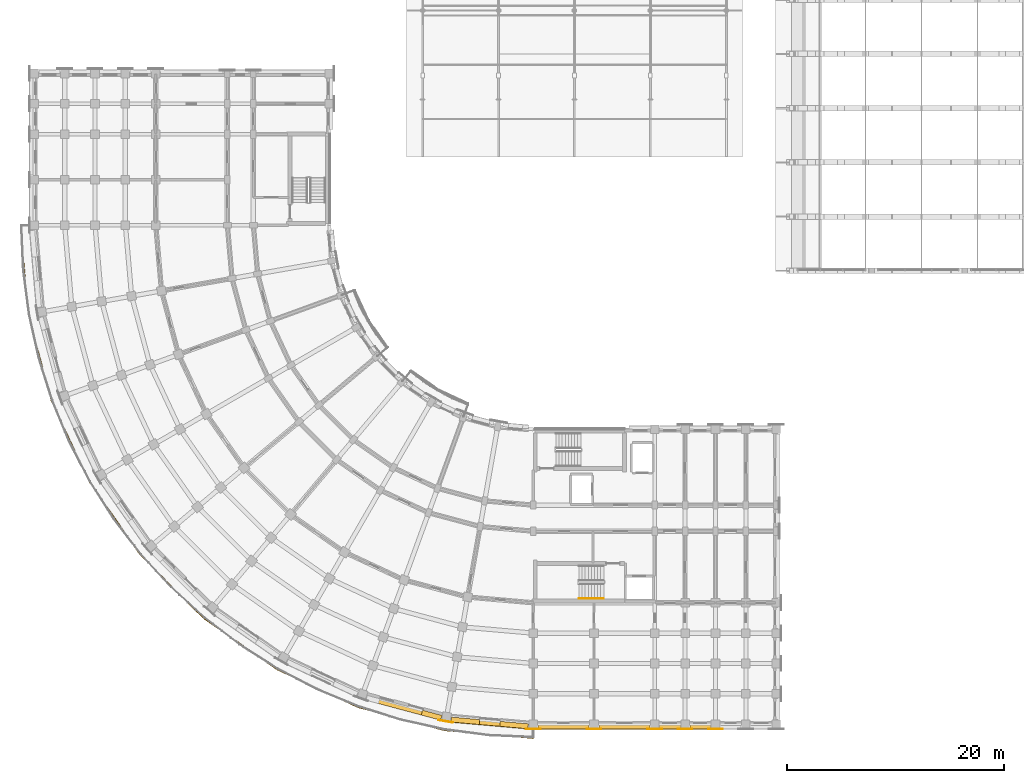
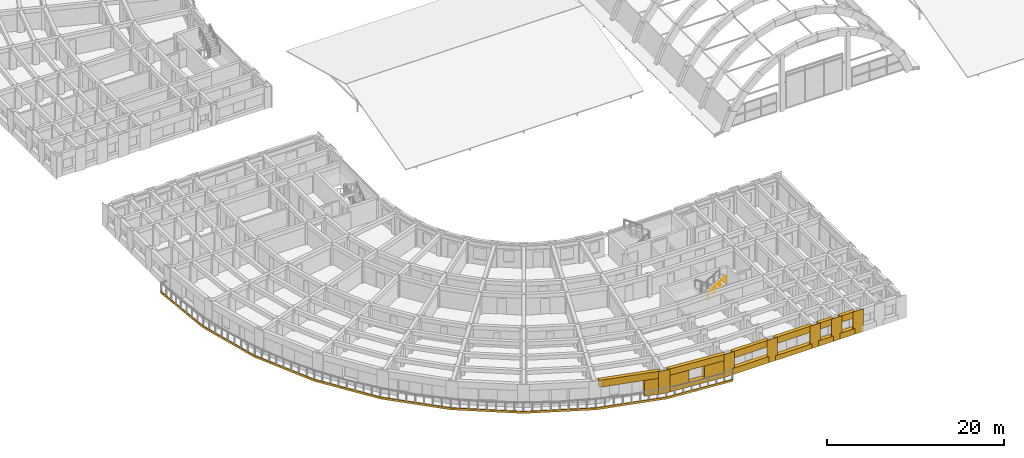
# One storey, part 60 of 76: 21 coverings, 1 railing.
"""IFC4 building model written with IfcOpenShell, lengths in metres."""

import ifcopenshell
import ifcopenshell.guid

model = None  # the IFC model being written
_history = None  # IfcOwnerHistory: only IFC2X3 demands one
_inside = {}  # id of a spatial element -> (the spatial element, [elements in it])
_under = {}  # id of a project, library or spatial element -> (it, [spatial elements below it])
_declared = {}  # id of a project -> (the project, [libraries it declares])
_typed = {}  # id of a type object -> (the type object, [elements of that type])
_made_of = {}  # id of a material, layer set ... -> (it, [elements and type objects made of it])


def new_model(schema):
    """Start an empty IFC model of exactly this schema.

    Asked for "IFC4X3", IfcOpenShell would pick the latest addendum, in which some entities
    have other attributes; the version numbers below select the first issue.
    IFC2X3 requires an IfcOwnerHistory on every rooted entity: one is made here for all.
    """
    global model, _history
    if schema == "IFC4X3":
        model = ifcopenshell.file(schema_version=(4, 3, 0, 0))
    else:
        model = ifcopenshell.file(schema=schema)
    _inside.clear()
    _under.clear()
    _declared.clear()
    _typed.clear()
    _made_of.clear()
    _history = None
    if model.schema == "IFC2X3":
        org = make("IfcOrganization", Name="unknown")
        user = make(
            "IfcPersonAndOrganization",
            ThePerson=make("IfcPerson", FamilyName="unknown"),
            TheOrganization=org,
        )
        app = make(
            "IfcApplication",
            ApplicationDeveloper=org,
            Version="unknown",
            ApplicationFullName="unknown",
            ApplicationIdentifier="unknown",
        )
        _history = make(
            "IfcOwnerHistory",
            OwningUser=user,
            OwningApplication=app,
            ChangeAction="ADDED",
            CreationDate=0,
        )
    return model


def make(cls, **values):
    """One entity of the class cls with the attributes given. An attribute that is None is left unset."""
    return model.create_entity(
        cls, **{name: value for name, value in values.items() if value is not None}
    )


def rooted(cls, **values):
    """An entity with a GlobalId (a new one), such as an element, a storey or a relation."""
    return make(cls, GlobalId=ifcopenshell.guid.new(), OwnerHistory=_history, **values)


def si_unit(unit_type, name, prefix=None):
    """IfcSIUnit, for example si_unit("LENGTHUNIT", "METRE", prefix="MILLI")."""
    return make("IfcSIUnit", UnitType=unit_type, Prefix=prefix, Name=name)


def assignment(units):
    """IfcUnitAssignment: the units of a project."""
    return None if units is None else make("IfcUnitAssignment", Units=units)


def point(xyz):
    """IfcCartesianPoint."""
    return None if xyz is None else make("IfcCartesianPoint", Coordinates=xyz)


def direction(xyz):
    """IfcDirection."""
    return None if xyz is None else make("IfcDirection", DirectionRatios=xyz)


def frame(location, z_axis=None, x_axis=None):
    """IfcAxis2Placement3D, a coordinate frame: its origin and axes. An axis left out is left unset."""
    return make(
        "IfcAxis2Placement3D",
        Location=point(location),
        Axis=direction(z_axis),
        RefDirection=direction(x_axis),
    )


def frame_2d(location, x_axis=None):
    """IfcAxis2Placement2D, a coordinate frame in the plane: its origin and x axis."""
    return make(
        "IfcAxis2Placement2D", Location=point(location), RefDirection=direction(x_axis)
    )


def origin():
    """The frame at (0, 0, 0) with its axes left unset."""
    return frame((0.0, 0.0, 0.0))


def origin_2d():
    """The frame at (0, 0) in the plane with its x axis left unset."""
    return frame_2d((0.0, 0.0))


def place(relative_to, where):
    """IfcLocalPlacement: puts the frame where relative to a parent placement (None: the world)."""
    return make(
        "IfcLocalPlacement", PlacementRelTo=relative_to, RelativePlacement=where
    )


def context(
    kind, dimensions, precision=None, world=None, true_north=None, identifier=None
):
    """IfcGeometricRepresentationContext, for example the 3D "Model" context."""
    return make(
        "IfcGeometricRepresentationContext",
        ContextIdentifier=identifier,
        ContextType=kind,
        CoordinateSpaceDimension=dimensions,
        Precision=precision,
        WorldCoordinateSystem=world,
        TrueNorth=true_north,
    )


def subcontext(parent, identifier, kind, view, scale=None):
    """IfcGeometricRepresentationSubContext, for example "Body" below "Model"."""
    return make(
        "IfcGeometricRepresentationSubContext",
        ContextIdentifier=identifier,
        ContextType=kind,
        ParentContext=parent,
        TargetScale=scale,
        TargetView=view,
    )


def project(units=None, contexts=None):
    """IfcProject with its units and contexts."""
    return rooted(
        "IfcProject",
        Name="project",
        RepresentationContexts=contexts,
        UnitsInContext=assignment(units),
    )


def spatial(cls, under=None, at=None, **own):
    """A site, building, storey or space (cls), placed at a placement, below another one or the project."""
    s = rooted(cls, ObjectPlacement=at, **own)
    if under is not None:
        _under.setdefault(under.id(), (under, []))[1].append(s)
    return s


def polyline(points):
    """IfcPolyline through the points."""
    return make("IfcPolyline", Points=[point(p) for p in points])


def profile(cls, at=None, kind="AREA", **sizes):
    """A parametric profile (cls). Its sizes go by their IFC names, for example OverallWidth=200.0."""
    return make(cls, ProfileType=kind, Position=at, **sizes)


def circle(**sizes):
    """IfcCircleProfileDef."""
    return profile("IfcCircleProfileDef", **sizes)


def outline(outer, holes=None, kind="AREA"):
    """IfcArbitraryClosedProfileDef: a profile drawn as a closed curve; with holes, ...WithVoids."""
    if holes is None:
        return make("IfcArbitraryClosedProfileDef", ProfileType=kind, OuterCurve=outer)
    return make(
        "IfcArbitraryProfileDefWithVoids",
        ProfileType=kind,
        OuterCurve=outer,
        InnerCurves=holes,
    )


def extrude(swept, where, along, depth):
    """IfcExtrudedAreaSolid: the profile swept, set in the frame where, extruded along a direction by depth."""
    return make(
        "IfcExtrudedAreaSolid",
        SweptArea=swept,
        Position=where,
        ExtrudedDirection=direction(along),
        Depth=depth,
    )


def shape(context_of_items, identifier, shape_type, items):
    """IfcShapeRepresentation: the items that make up one representation, for example the "Body"."""
    return make(
        "IfcShapeRepresentation",
        ContextOfItems=context_of_items,
        RepresentationIdentifier=identifier,
        RepresentationType=shape_type,
        Items=items,
    )


def material(Name=None, Category=None):
    """IfcMaterial."""
    return make("IfcMaterial", Name=Name, Category=Category)


def layer(
    of_material, thickness, ventilated=None, Name=None, Category=None, Priority=None
):
    """IfcMaterialLayer: one layer of a wall or slab, of a material (None: an air gap)."""
    return make(
        "IfcMaterialLayer",
        Material=of_material,
        LayerThickness=thickness,
        IsVentilated=ventilated,
        Name=Name,
        Category=Category,
        Priority=Priority,
    )


def layer_set(layers, Name=None):
    """IfcMaterialLayerSet."""
    return make("IfcMaterialLayerSet", MaterialLayers=layers, LayerSetName=Name)


def made_of(thing, what):
    """Note that an element or type object is made of a material, layer set ...; save() writes the relation."""
    if what is not None:
        _made_of.setdefault(what.id(), (what, []))[1].append(thing)
    return thing


def type_object(cls, material=None, **own):
    """A type object (cls), such as IfcWallType, which elements share."""
    return made_of(rooted(cls, **own), material)


def element(
    cls,
    number,
    at=None,
    inside=None,
    cuts=None,
    type_object=None,
    material=None,
    context=None,
    identifier="Body",
    shape_type=None,
    held_by="IfcProductDefinitionShape",
    body=None,
    shapes=None,
    **own,
):
    """One element of the class cls, such as IfcWall. Its Tag is "e" and its number.

    at: its placement. inside: the storey or other place that contains it. cuts: it is an
    opening in that element (IfcRelVoidsElement). A single representation is given by context,
    identifier, shape_type and body (its items); several are given by shapes. held_by: the class
    of the entity that holds the representations. save() writes the other relations.
    """
    e = rooted(cls, Tag="e%d" % number, ObjectPlacement=at, **own)
    if body is not None:
        shapes = [shape(context, identifier, shape_type, body)]
    if shapes is not None:
        e.Representation = make(held_by, Representations=shapes)
    if inside is not None:
        _inside.setdefault(inside.id(), (inside, []))[1].append(e)
    if cuts is not None:
        rooted(
            "IfcRelVoidsElement", RelatingBuildingElement=cuts, RelatedOpeningElement=e
        )
    if type_object is not None:
        _typed.setdefault(type_object.id(), (type_object, []))[1].append(e)
    return made_of(e, material)


def aggregate(whole, parts):
    """IfcRelAggregates: a whole, such as a stair, and the parts it consists of."""
    return rooted("IfcRelAggregates", RelatingObject=whole, RelatedObjects=parts)


def save(model, path):
    """Write the relations noted so far, then the file.

    IfcRelAggregates (storeys below a building ...), IfcRelContainedInSpatialStructure (elements
    in a storey), IfcRelDefinesByType, IfcRelAssociatesMaterial and IfcRelDeclares: one each for
    every whole, place, type object, material and project.
    """
    for whole, parts in _under.values():
        aggregate(whole, parts)
    for where, things in _inside.values():
        rooted(
            "IfcRelContainedInSpatialStructure",
            RelatedElements=things,
            RelatingStructure=where,
        )
    for kind, things in _typed.values():
        rooted("IfcRelDefinesByType", RelatedObjects=things, RelatingType=kind)
    for what, things in _made_of.values():
        rooted("IfcRelAssociatesMaterial", RelatedObjects=things, RelatingMaterial=what)
    for by, libraries in _declared.values():
        rooted("IfcRelDeclares", RelatingContext=by, RelatedDefinitions=libraries)
    model.write(path)


model = new_model("IFC4")

# Units and contexts
model_context = context("Model", 3, precision=1e-05, world=origin(), true_north=direction((0.0, 1.0)))
body_context = subcontext(model_context, "Body", "Model", "MODEL_VIEW")
ifc_project = project(units=[si_unit("LENGTHUNIT", "METRE"), si_unit("AREAUNIT", "SQUARE_METRE"), si_unit("VOLUMEUNIT", "CUBIC_METRE"), si_unit("PLANEANGLEUNIT", "RADIAN"), si_unit("MASSUNIT", "GRAM", prefix="KILO")], contexts=[model_context])

# Site, building, storey
site_placement = place(None, origin())
site = spatial("IfcSite", under=ifc_project, at=site_placement, CompositionType="ELEMENT")
building_placement = place(site_placement, origin())
building = spatial("IfcBuilding", under=site, at=building_placement, Name="Kiranvali Square Residences", CompositionType="ELEMENT")
storey_placement = place(building_placement, frame((0.0, 0.0, 8.699951171875)))
storey = spatial("IfcBuildingStorey", under=building, at=storey_placement, Name="L02", CompositionType="ELEMENT", Elevation=8.699951171875)

# Coverings
ifc_material_1 = material(Name="Carved Porbandar limestone classical entablature and cornice", Category="masonry")
ifc_layer_1 = layer(ifc_material_1, 0.072021484375)
ifc_layer_set_1 = layer_set([ifc_layer_1], Name="Carved Porbandar limestone classical entablature and cornice")
covering_type_1 = type_object("IfcCoveringType", Name="COV-CLAD-BAL", PredefinedType="CLADDING", material=ifc_layer_set_1)
covering_1_placement = place(storey_placement, frame((0.0, 0.0, -0.239990234375)))
element("IfcCovering", 1, at=covering_1_placement, inside=storey, type_object=covering_type_1, Name="Block C L02 continuous curved limestone balcony fascia", PredefinedType="CLADDING", context=body_context, shape_type="SweptSolid", body=[
    extrude(outline(polyline([(48.199951171875, 0.947998046875), (39.994873046875, 1.665771484375), (32.038818359375, 3.797607421875), (24.573974609375, 7.278564453125), (17.826904296875, 12.0029296875), (12.0029296875, 17.826904296875), (7.278564453125, 24.573974609375), (3.797607421875, 32.038818359375), (1.665771484375, 39.994873046875), (0.947998046875, 48.199951171875), (0.882080078125, 48.199951171875), (1.600830078125, 39.9833984375), (3.735595703125, 32.016357421875), (7.221435546875, 24.541015625), (11.952392578125, 17.78466796875), (17.78466796875, 11.952392578125), (24.541015625, 7.221435546875), (32.016357421875, 3.735595703125), (39.9833984375, 1.600830078125), (48.199951171875, 0.882080078125), (48.199951171875, 0.947998046875)])), origin(), (0.0, 0.0, 1.0), 0.300048828125),
])
ifc_material_2 = material(Name="Honed Porbandar limestone ashlar facade cladding", Category="masonry")
ifc_layer_2 = layer(ifc_material_2, 0.3798828125)
ifc_layer_set_2 = layer_set([ifc_layer_2], Name="Honed Porbandar limestone ashlar facade cladding")
covering_type_2 = type_object("IfcCoveringType", Name="COV-CLAD-JAMB", PredefinedType="CLADDING", material=ifc_layer_set_2)
covering_2_placement = place(storey_placement, frame((0.0, 0.0, 0.6220703125)))
element("IfcCovering", 2, at=covering_2_placement, inside=storey, type_object=covering_type_2, Name="L02 deep limestone window jamb reveal C-L02-CRV-00.L", PredefinedType="CLADDING", context=body_context, shape_type="SweptSolid", body=[
    extrude(outline(polyline([(47.751708984375, 2.23876953125), (45.15234375, 2.466064453125), (45.1123046875, 2.00830078125), (47.711669921875, 1.781005859375), (47.751708984375, 2.23876953125)])), origin(), (0.0, 0.0, 1.0), 1.64990234375),
])
covering_3_placement = place(storey_placement, frame((0.0, 0.0, 0.6220703125)))
element("IfcCovering", 3, at=covering_3_placement, inside=storey, type_object=covering_type_2, Name="L02 deep limestone window jamb reveal C-L02-CRV-00.R", PredefinedType="CLADDING", context=body_context, shape_type="SweptSolid", body=[
    extrude(outline(polyline([(43.259765625, 2.6318359375), (40.660400390625, 2.859130859375), (40.620361328125, 2.4013671875), (43.2197265625, 2.174072265625), (43.259765625, 2.6318359375)])), origin(), (0.0, 0.0, 1.0), 1.64990234375),
])
covering_4_placement = place(storey_placement, origin())
element("IfcCovering", 4, at=covering_4_placement, inside=storey, type_object=covering_type_2, Name="L02 deep limestone window jamb reveal C-L02-CRV-01.L", PredefinedType="CLADDING", context=body_context, shape_type="SweptSolid", body=[
    extrude(outline(polyline([(39.77734375, 3.014892578125), (37.998779296875, 3.491455078125), (37.8798828125, 3.047607421875), (39.658447265625, 2.571044921875), (39.77734375, 3.014892578125)])), origin(), (0.0, 0.0, 1.0), 2.179931640625),
])
ifc_layer_3 = layer(ifc_material_2, 0.06494140625)
ifc_layer_set_3 = layer_set([ifc_layer_3], Name="Honed Porbandar limestone ashlar facade cladding")
covering_type_3 = type_object("IfcCoveringType", Name="COV-CLAD-PIER", PredefinedType="CLADDING", material=ifc_layer_set_3)
covering_5_placement = place(storey_placement, frame((0.0, 0.0, 0.005126953125)))
element("IfcCovering", 5, at=covering_5_placement, inside=storey, type_object=covering_type_3, Name="L02 Classical limestone corner pilaster CLAD-PR-C-L02-A00", PredefinedType="CLADDING", context=body_context, shape_type="SweptSolid", body=[
    extrude(outline(polyline([(47.52001953125, 1.73193359375), (48.8798828125, 1.73193359375), (48.8798828125, 1.799560546875), (47.52001953125, 1.799560546875), (47.52001953125, 1.73193359375)])), origin(), (0.0, 0.0, 1.0), 3.139892578125),
])
covering_6_placement = place(storey_placement, frame((0.0, 0.0, 0.005126953125)))
element("IfcCovering", 6, at=covering_6_placement, inside=storey, type_object=covering_type_3, Name="L02 Classical limestone corner pilaster CLAD-PR-C-L02-A01", PredefinedType="CLADDING", context=body_context, shape_type="SweptSolid", body=[
    extrude(outline(polyline([(39.461181640625, 2.555908203125), (40.800537109375, 2.31982421875), (40.812255859375, 2.38623046875), (39.472900390625, 2.62255859375), (39.461181640625, 2.555908203125)])), origin(), (0.0, 0.0, 1.0), 3.139892578125),
])
covering_7_placement = place(storey_placement, frame((0.0, 0.0, 0.005126953125)))
element("IfcCovering", 7, at=covering_7_placement, inside=storey, type_object=covering_type_3, Name="L02 Classical limestone pilaster casing CLAD-PR-C-L02-U56", PredefinedType="CLADDING", context=body_context, shape_type="SweptSolid", body=[
    extrude(outline(polyline([(53.1201171875, 1.73193359375), (54.47998046875, 1.73193359375), (54.47998046875, 1.799560546875), (53.1201171875, 1.799560546875), (53.1201171875, 1.73193359375)])), origin(), (0.0, 0.0, 1.0), 3.139892578125),
])
covering_8_placement = place(storey_placement, frame((0.0, 0.0, 0.005126953125)))
element("IfcCovering", 8, at=covering_8_placement, inside=storey, type_object=covering_type_3, Name="L02 Classical limestone pilaster casing CLAD-PR-C-L02-U112", PredefinedType="CLADDING", context=body_context, shape_type="SweptSolid", body=[
    extrude(outline(polyline([(58.719970703125, 1.73193359375), (60.080078125, 1.73193359375), (60.080078125, 1.799560546875), (58.719970703125, 1.799560546875), (58.719970703125, 1.73193359375)])), origin(), (0.0, 0.0, 1.0), 3.139892578125),
])
covering_9_placement = place(storey_placement, frame((0.0, 0.0, 0.005126953125)))
element("IfcCovering", 9, at=covering_9_placement, inside=storey, type_object=covering_type_3, Name="L02 Classical limestone pilaster casing CLAD-PR-C-L02-U140", PredefinedType="CLADDING", context=body_context, shape_type="SweptSolid", body=[
    extrude(outline(polyline([(61.52001953125, 1.73193359375), (62.8798828125, 1.73193359375), (62.8798828125, 1.799560546875), (61.52001953125, 1.799560546875), (61.52001953125, 1.73193359375)])), origin(), (0.0, 0.0, 1.0), 3.139892578125),
])
covering_10_placement = place(storey_placement, frame((0.0, 0.0, 0.005126953125)))
element("IfcCovering", 10, at=covering_10_placement, inside=storey, type_object=covering_type_3, Name="L02 Classical limestone pilaster casing CLAD-PR-C-L02-U167", PredefinedType="CLADDING", context=body_context, shape_type="SweptSolid", body=[
    extrude(outline(polyline([(64.320068359375, 1.73193359375), (65.679931640625, 1.73193359375), (65.679931640625, 1.799560546875), (64.320068359375, 1.799560546875), (64.320068359375, 1.73193359375)])), origin(), (0.0, 0.0, 1.0), 3.139892578125),
])
ifc_layer_4 = layer(ifc_material_2, 0.360107421875)
ifc_layer_set_4 = layer_set([ifc_layer_4], Name="Honed Porbandar limestone ashlar facade cladding")
covering_type_4 = type_object("IfcCoveringType", Name="COV-CLAD-WALL", PredefinedType="CLADDING", material=ifc_layer_set_4)
covering_11_placement = place(storey_placement, frame((0.0, 0.0, 2.27197265625)))
element("IfcCovering", 11, at=covering_11_placement, inside=storey, type_object=covering_type_4, Name="L02 light limestone spandrel lintel C-L02-CRV-00", PredefinedType="CLADDING", context=body_context, shape_type="SweptSolid", body=[
    extrude(outline(polyline([(47.751708984375, 2.23876953125), (40.660400390625, 2.859130859375), (40.620361328125, 2.4013671875), (47.711669921875, 1.781005859375), (47.751708984375, 2.23876953125)])), origin(), (0.0, 0.0, 1.0), 0.873046875),
])
covering_12_placement = place(storey_placement, frame((0.0, 0.0, 0.005126953125)))
element("IfcCovering", 12, at=covering_12_placement, inside=storey, type_object=covering_type_4, Name="L02 limestone window sill apron C-L02-CRV-00", PredefinedType="CLADDING", context=body_context, shape_type="SweptSolid", body=[
    extrude(outline(polyline([(47.751708984375, 2.23876953125), (40.660400390625, 2.859130859375), (40.61767578125, 2.37158203125), (47.708984375, 1.7509765625), (47.751708984375, 2.23876953125)])), origin(), (0.0, 0.0, 1.0), 0.616943359375),
])
covering_13_placement = place(storey_placement, frame((0.0, 0.0, 2.179931640625)))
element("IfcCovering", 13, at=covering_13_placement, inside=storey, type_object=covering_type_4, Name="L02 light limestone spandrel lintel C-L02-CRV-01", PredefinedType="CLADDING", context=body_context, shape_type="SweptSolid", body=[
    extrude(outline(polyline([(39.77734375, 3.014892578125), (32.901611328125, 4.857177734375), (32.78271484375, 4.413330078125), (39.658447265625, 2.571044921875), (39.77734375, 3.014892578125)])), origin(), (0.0, 0.0, 1.0), 0.965087890625),
])
covering_14_placement = place(storey_placement, frame((0.0, 0.0, 2.22998046875)))
element("IfcCovering", 14, at=covering_14_placement, inside=storey, type_object=covering_type_4, Name="L02 light limestone spandrel lintel C-L02-A1O-0", PredefinedType="CLADDING", context=body_context, shape_type="SweptSolid", body=[
    extrude(outline(polyline([(48.639892578125, 1.75), (53.360107421875, 1.75), (53.360107421875, 2.199462890625), (48.639892578125, 2.199462890625), (48.639892578125, 1.75)])), origin(), (0.0, 0.0, 1.0), 0.9150390625),
])
covering_15_placement = place(storey_placement, frame((0.0, 0.0, 0.005126953125)))
element("IfcCovering", 15, at=covering_15_placement, inside=storey, type_object=covering_type_4, Name="L02 limestone window sill apron C-L02-A1O-0", PredefinedType="CLADDING", context=body_context, shape_type="SweptSolid", body=[
    extrude(outline(polyline([(48.639892578125, 1.719970703125), (53.360107421875, 1.719970703125), (53.360107421875, 2.199462890625), (48.639892578125, 2.199462890625), (48.639892578125, 1.719970703125)])), origin(), (0.0, 0.0, 1.0), 0.875),
])
covering_16_placement = place(storey_placement, frame((0.0, 0.0, 2.27197265625)))
element("IfcCovering", 16, at=covering_16_placement, inside=storey, type_object=covering_type_4, Name="L02 light limestone spandrel lintel C-L02-A1O-1", PredefinedType="CLADDING", context=body_context, shape_type="SweptSolid", body=[
    extrude(outline(polyline([(54.239990234375, 1.75), (58.9599609375, 1.75), (58.9599609375, 2.199462890625), (54.239990234375, 2.199462890625), (54.239990234375, 1.75)])), origin(), (0.0, 0.0, 1.0), 0.873046875),
])
covering_17_placement = place(storey_placement, frame((0.0, 0.0, 0.005126953125)))
element("IfcCovering", 17, at=covering_17_placement, inside=storey, type_object=covering_type_4, Name="L02 limestone window sill apron C-L02-A1O-1", PredefinedType="CLADDING", context=body_context, shape_type="SweptSolid", body=[
    extrude(outline(polyline([(54.239990234375, 1.719970703125), (58.9599609375, 1.719970703125), (58.9599609375, 2.199462890625), (54.239990234375, 2.199462890625), (54.239990234375, 1.719970703125)])), origin(), (0.0, 0.0, 1.0), 0.6669921875),
])
covering_18_placement = place(storey_placement, frame((0.0, 0.0, 2.27197265625)))
element("IfcCovering", 18, at=covering_18_placement, inside=storey, type_object=covering_type_4, Name="L02 light limestone spandrel lintel C-L02-A1O-2", PredefinedType="CLADDING", context=body_context, shape_type="SweptSolid", body=[
    extrude(outline(polyline([(59.840087890625, 1.75), (61.760009765625, 1.75), (61.760009765625, 2.199462890625), (59.840087890625, 2.199462890625), (59.840087890625, 1.75)])), origin(), (0.0, 0.0, 1.0), 0.873046875),
])
covering_19_placement = place(storey_placement, frame((0.0, 0.0, 0.005126953125)))
element("IfcCovering", 19, at=covering_19_placement, inside=storey, type_object=covering_type_4, Name="L02 limestone window sill apron C-L02-A1O-2", PredefinedType="CLADDING", context=body_context, shape_type="SweptSolid", body=[
    extrude(outline(polyline([(59.840087890625, 1.719970703125), (61.760009765625, 1.719970703125), (61.760009765625, 2.199462890625), (59.840087890625, 2.199462890625), (59.840087890625, 1.719970703125)])), origin(), (0.0, 0.0, 1.0), 0.766845703125),
])
covering_20_placement = place(storey_placement, frame((0.0, 0.0, 2.27197265625)))
element("IfcCovering", 20, at=covering_20_placement, inside=storey, type_object=covering_type_4, Name="L02 light limestone spandrel lintel C-L02-A1O-3", PredefinedType="CLADDING", context=body_context, shape_type="SweptSolid", body=[
    extrude(outline(polyline([(62.639892578125, 1.75), (64.56005859375, 1.75), (64.56005859375, 2.199462890625), (62.639892578125, 2.199462890625), (62.639892578125, 1.75)])), origin(), (0.0, 0.0, 1.0), 0.873046875),
])
covering_21_placement = place(storey_placement, frame((0.0, 0.0, 0.005126953125)))
element("IfcCovering", 21, at=covering_21_placement, inside=storey, type_object=covering_type_4, Name="L02 limestone window sill apron C-L02-A1O-3", PredefinedType="CLADDING", context=body_context, shape_type="SweptSolid", body=[
    extrude(outline(polyline([(62.639892578125, 1.719970703125), (64.56005859375, 1.719970703125), (64.56005859375, 2.199462890625), (62.639892578125, 2.199462890625), (62.639892578125, 1.719970703125)])), origin(), (0.0, 0.0, 1.0), 0.81689453125),
])

# Railing
ifc_material_3 = material(Name="Brushed stainless steel tubular handrail", Category="steel")
railing_type = type_object("IfcRailingType", Name="RL-HANDRAIL-900", PredefinedType="HANDRAIL", material=ifc_material_3)
railing_placement = place(storey_placement, frame((52.419921875, 13.800048828125, 1.75)))
element("IfcRailing", 22, at=railing_placement, inside=storey, type_object=railing_type, Name="L02 ST-C1 stair handrail 2", PredefinedType="HANDRAIL", context=body_context, shape_type="SweptSolid", body=[
    extrude(circle(Radius=0.02392578125, at=origin_2d()), frame((0.0, 0.0, 0.8759765625), z_axis=(0.82278801735, 0.0, 0.568348377763), x_axis=(0.0, 1.0, 0.0)), (0.0, 0.0, 1.0), 2.77099609375),
    extrude(circle(Radius=0.02099609375, at=origin_2d()), origin(), (0.0, 0.0, 1.0), 0.851806640625),
    extrude(circle(Radius=0.02099609375, at=origin_2d()), frame((0.760009765625, 0.0, 0.52490234375)), (0.0, 0.0, 1.0), 0.851806640625),
    extrude(circle(Radius=0.02099609375, at=origin_2d()), frame((1.52001953125, 0.0, 1.050048828125)), (0.0, 0.0, 1.0), 0.851806640625),
    extrude(circle(Radius=0.02099609375, at=origin_2d()), frame((2.280029296875, 0.0, 1.574951171875)), (0.0, 0.0, 1.0), 0.851806640625),
])

save(model, "model.ifc")
